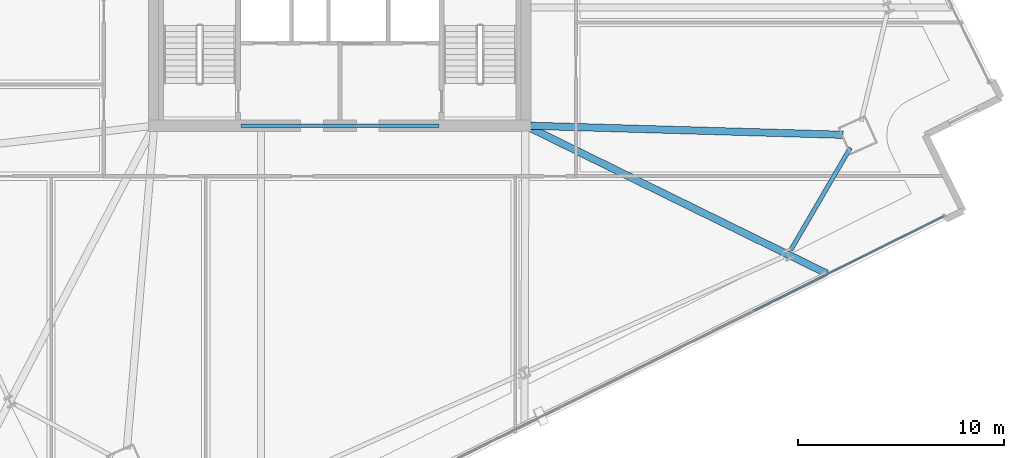
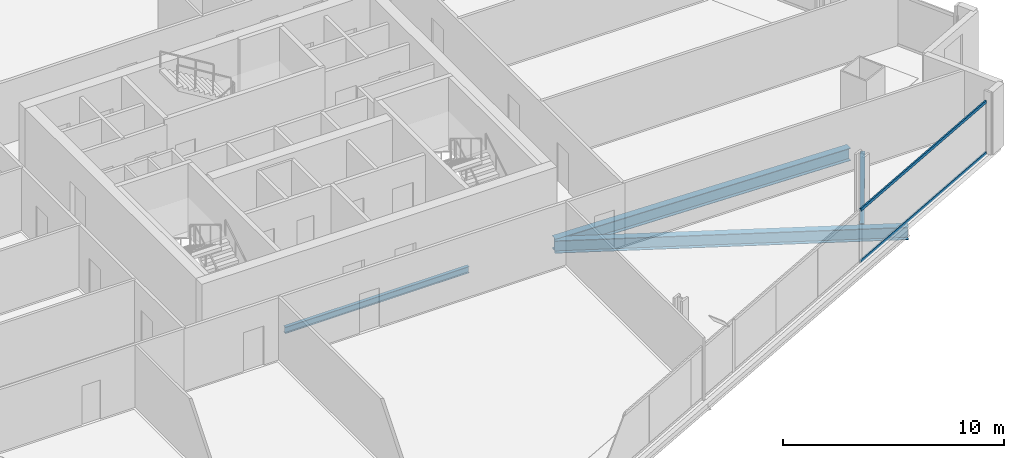
# One storey, part 10 of 35: 4 beams, 2 members, 1 element without a shape of its own.
"""IFC4 building model written with IfcOpenShell, lengths in metres."""

from ifc_helpers import new_model, si_unit, direction, frame, origin, origin_2d, place, context, subcontext, project, spatial, hollow_rectangle, i_section, extrude, material, material_profile, profile_set, type_object, element, aggregate, save


model = new_model("IFC4")

# Units and contexts
model_context = context("Model", 3, precision=1e-05, world=origin(), true_north=direction((0.0, 1.0)))
body_context = subcontext(model_context, "Body", "Model", "MODEL_VIEW")
ifc_project = project(units=[si_unit("LENGTHUNIT", "METRE"), si_unit("AREAUNIT", "SQUARE_METRE"), si_unit("VOLUMEUNIT", "CUBIC_METRE"), si_unit("PLANEANGLEUNIT", "RADIAN"), si_unit("MASSUNIT", "GRAM", prefix="KILO")], contexts=[model_context])

# Site, building, storey
site_placement = place(None, origin())
site = spatial("IfcSite", under=ifc_project, at=site_placement, CompositionType="ELEMENT")
building_placement = place(site_placement, origin())
building = spatial("IfcBuilding", under=site, at=building_placement, Name="Haldenkirk Collegiate Tower", CompositionType="ELEMENT")
storey_placement = place(building_placement, frame((0.0, 0.0, 116.699951171875)))
storey = spatial("IfcBuildingStorey", under=building, at=storey_placement, Name="L28", CompositionType="ELEMENT", Elevation=116.699951171875)

# Beams
ifc_material_1 = material(Name="Steel ASTM A992 Grade 50", Category="steel")
ifc_material_profile_1 = material_profile(ifc_material_1, i_section(OverallWidth=0.35498046875, OverallDepth=0.696044921875, WebThickness=0.015380859375, FlangeThickness=0.02490234375, at=origin_2d()), Name="W27X146")
ifc_profile_set_1 = profile_set([ifc_material_profile_1], Name="Steel ASTM A992 Grade 50")
beam_type_1 = type_object("IfcBeamType", Name="BM-GIRDER-W27X146", PredefinedType="BEAM", material=ifc_profile_set_1)
beam_1_placement = place(storey_placement, frame((60.4072265625, 17.55322265625, -0.64794921875), z_axis=(-0.999579697841, 0.028990130448, 0.0), x_axis=(-0.028990130448, -0.999579697841, 0.0)))
element("IfcBeam", 1, at=beam_1_placement, inside=storey, type_object=beam_type_1, Name="L28 primary floor girder 02", PredefinedType="BEAM", context=body_context, shape_type="SweptSolid", body=[
    extrude(i_section(OverallWidth=0.35498046875, OverallDepth=0.696044921875, WebThickness=0.015380859375, FlangeThickness=0.02490234375, at=origin_2d()), origin(), (0.0, 0.0, 1.0), 15.15869140625),
])
beam_2_placement = place(storey_placement, frame((59.61474609375, 10.824951171875, -0.64794921875), z_axis=(-0.897651503418, 0.440705999972, 0.0), x_axis=(-0.440705999972, -0.897651503418, 0.0)))
element("IfcBeam", 2, at=beam_2_placement, inside=storey, type_object=beam_type_1, Name="L28 primary floor girder 07", PredefinedType="BEAM", context=body_context, shape_type="SweptSolid", body=[
    extrude(i_section(OverallWidth=0.35498046875, OverallDepth=0.696044921875, WebThickness=0.015380859375, FlangeThickness=0.02490234375, at=origin_2d()), origin(), (0.0, 0.0, 1.0), 16.02587890625),
])
ifc_material_profile_2 = material_profile(ifc_material_1, i_section(OverallWidth=0.1708984375, OverallDepth=0.35595703125, WebThickness=0.007080078125, FlangeThickness=0.01171875, at=origin_2d()), Name="W14X34")
ifc_profile_set_2 = profile_set([ifc_material_profile_2], Name="Steel ASTM A992 Grade 50")
beam_type_2 = type_object("IfcBeamType", Name="BM-LINTEL-W14X34", PredefinedType="LINTEL", material=ifc_profile_set_2)
beam_3_placement = place(storey_placement, frame((31.199951171875, 18.0, -0.47802734375), z_axis=(1.0, 0.0, 0.0), x_axis=(0.0, 1.0, 0.0)))
element("IfcBeam", 3, at=beam_3_placement, inside=storey, type_object=beam_type_2, Name="L28 south core coupling lintel", PredefinedType="LINTEL", context=body_context, shape_type="SweptSolid", body=[
    extrude(i_section(OverallWidth=0.1708984375, OverallDepth=0.35595703125, WebThickness=0.007080078125, FlangeThickness=0.01171875, at=origin_2d()), origin(), (0.0, 0.0, 1.0), 9.60009765625),
])
ifc_material_profile_3 = material_profile(ifc_material_1, i_section(OverallWidth=0.2119140625, OverallDepth=0.5439453125, WebThickness=0.01318359375, FlangeThickness=0.021240234375, at=origin_2d()), Name="W21X83")
ifc_profile_set_3 = profile_set([ifc_material_profile_3], Name="Steel ASTM A992 Grade 50")
beam_type_3 = type_object("IfcBeamType", Name="BM-SPANDREL-W21X83", PredefinedType="SPANDREL", material=ifc_profile_set_3)
beam_4_placement = place(storey_placement, frame((57.86181640625, 11.958251953125, -0.572021484375), z_axis=(0.503667660107, 0.863897498643, 0.0), x_axis=(-0.863897498643, 0.503667660107, 0.0)))
element("IfcBeam", 4, at=beam_4_placement, inside=storey, type_object=beam_type_3, Name="L28 perimeter spandrel beam 04", PredefinedType="SPANDREL", context=body_context, shape_type="SweptSolid", body=[
    extrude(i_section(OverallWidth=0.2119140625, OverallDepth=0.5439453125, WebThickness=0.01318359375, FlangeThickness=0.021240234375, at=origin_2d()), origin(), (0.0, 0.0, 1.0), 5.747802734375),
])

# Curtain wall, members
ifc_material_2 = material(Name="Anodised architectural bronze aluminium", Category="aluminium")
curtain_wall_type = type_object("IfcCurtainWallType", Name="CW-SYS2-CONCAVE", PredefinedType="USERDEFINED", material=ifc_material_2)
curtain_wall_placement = place(storey_placement, origin())
curtain_wall = element("IfcCurtainWall", 5, at=curtain_wall_placement, inside=storey, type_object=curtain_wall_type, Name="L28 South concave recessed bronze-anodised curtain wall", ObjectType="UNITISED CURTAIN WALL", PredefinedType="USERDEFINED")
ifc_material_profile_4 = material_profile(ifc_material_2, hollow_rectangle(XDim=0.074951171875, YDim=0.159912109375, WallThickness=0.0048828125, at=origin_2d()), Name="CW-TRN-02")
ifc_profile_set_4 = profile_set([ifc_material_profile_4], Name="Anodised architectural bronze aluminium")
member_type = type_object("IfcMemberType", Name="CW-TRN-02", PredefinedType="USERDEFINED", material=ifc_profile_set_4)
member_1_placement = place(storey_placement, frame((65.265380859375, 13.59130859375, 0.03759765625), z_axis=(-0.895324632731, -0.44541419154, 0.0), x_axis=(0.44541419154, -0.895324632731, 0.0)))
member_1 = element("IfcMember", 6, at=member_1_placement, type_object=member_type, Name="CW-02 transom 1.1", ObjectType="TRANSOM", PredefinedType="USERDEFINED", context=body_context, shape_type="SweptSolid", body=[
    extrude(hollow_rectangle(XDim=0.074951171875, YDim=0.159912109375, WallThickness=0.0048828125, at=origin_2d()), origin(), (0.0, 0.0, 1.0), 10.262451171875),
])
member_2_placement = place(storey_placement, frame((65.265380859375, 13.59130859375, 2.863525390625), z_axis=(-0.895324632731, -0.44541419154, 0.0), x_axis=(0.44541419154, -0.895324632731, 0.0)))
member_2 = element("IfcMember", 7, at=member_2_placement, type_object=member_type, Name="CW-02 transom 1.2", ObjectType="TRANSOM", PredefinedType="USERDEFINED", context=body_context, shape_type="SweptSolid", body=[
    extrude(hollow_rectangle(XDim=0.074951171875, YDim=0.159912109375, WallThickness=0.0048828125, at=origin_2d()), origin(), (0.0, 0.0, 1.0), 10.262451171875),
])
aggregate(curtain_wall, [member_1, member_2])

save(model, "model.ifc")
